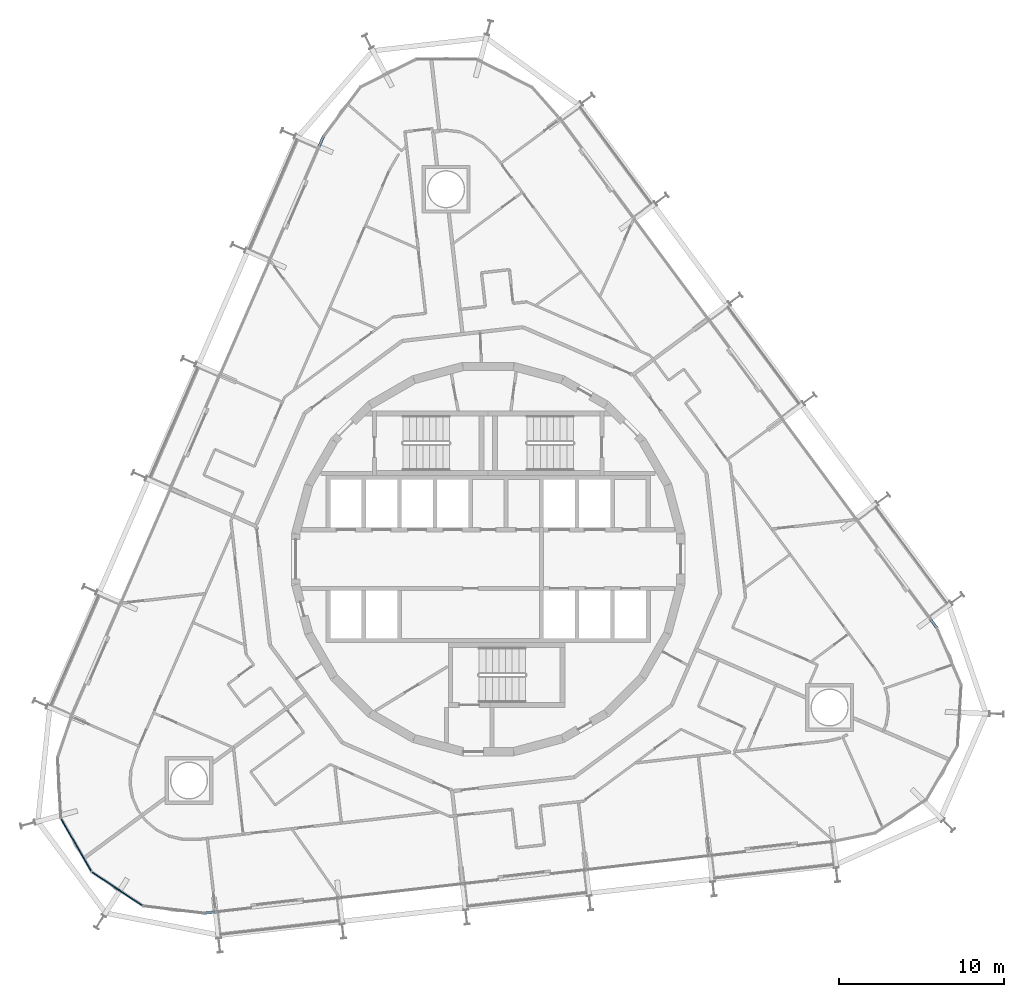
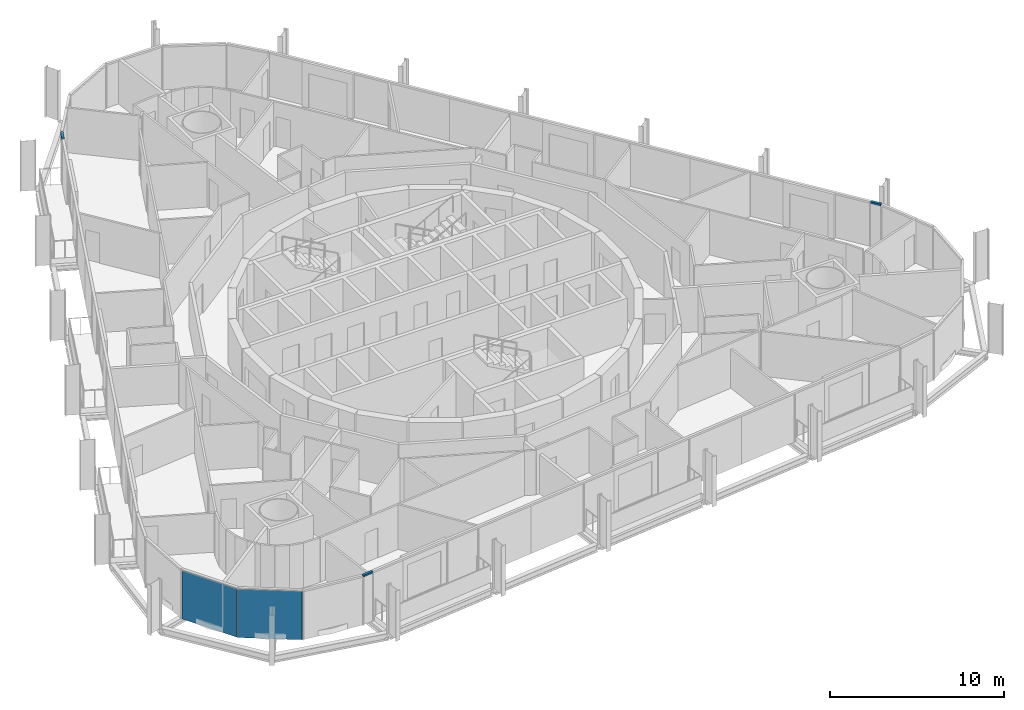
# One storey, part 12 of 24: 3 members, 2 plates, 3 elements without a shape of their own.
"""IFC4 building model written with IfcOpenShell, lengths in metres."""

from ifc_helpers import new_model, si_unit, direction, frame, origin, origin_2d, place, context, subcontext, project, spatial, rectangle, extrude, material, layer, layer_set, material_profile, profile_set, type_object, element, aggregate, save


model = new_model("IFC4")

# Units and contexts
model_context = context("Model", 3, precision=1e-05, world=origin(), true_north=direction((0.0, 1.0)))
body_context = subcontext(model_context, "Body", "Model", "MODEL_VIEW")
ifc_project = project(units=[si_unit("LENGTHUNIT", "METRE"), si_unit("AREAUNIT", "SQUARE_METRE"), si_unit("VOLUMEUNIT", "CUBIC_METRE"), si_unit("PLANEANGLEUNIT", "RADIAN"), si_unit("MASSUNIT", "GRAM", prefix="KILO")], contexts=[model_context])

# Site, building, storey
site_placement = place(None, origin())
site = spatial("IfcSite", under=ifc_project, at=site_placement, CompositionType="ELEMENT")
building_placement = place(site_placement, origin())
building = spatial("IfcBuilding", under=site, at=building_placement, Name="Spindle Arch Residences", CompositionType="ELEMENT")
storey_placement = place(building_placement, frame((0.0, 0.0, 101.199951171875)))
storey = spatial("IfcBuildingStorey", under=building, at=storey_placement, Name="L24", CompositionType="ELEMENT", Elevation=101.199951171875)

# Curtain wall, member
ifc_material_1 = material(Name="Aluminium bronze unitised frame with tinted glass", Category="aluminium")
ifc_layer_1 = layer(ifc_material_1, 0.159912109375)
ifc_layer_set_1 = layer_set([ifc_layer_1], Name="CW-D corner wall on the fillet arcs")
curtain_wall_type = type_object("IfcCurtainWallType", Name="CW-D corner wall on the fillet arcs", PredefinedType="NOTDEFINED", material=ifc_layer_set_1)
curtain_wall_1_placement = place(storey_placement, origin())
curtain_wall_1 = element("IfcCurtainWall", 1, at=curtain_wall_1_placement, inside=storey, type_object=curtain_wall_type, Name="CW-D L24 run 1", PredefinedType="NOTDEFINED")
ifc_material_2 = material(Name="Aluminium bronze anodised transom", Category="aluminium")
ifc_material_profile = material_profile(ifc_material_2, rectangle(XDim=0.159912109375, YDim=0.1201171875, at=origin_2d()), Name="TR 120x160")
ifc_profile_set = profile_set([ifc_material_profile], Name="Aluminium bronze anodised transom")
member_type = type_object("IfcMemberType", Name="Bronze transom 120x160", PredefinedType="USERDEFINED", material=ifc_profile_set)
member_1_placement = place(storey_placement, frame((27.125, -4.1474609375, 3.06005859375), z_axis=(-0.594872516249, 0.803820060344, 0.0), x_axis=(-0.803820060344, -0.594872516249, 0.0)))
member_1 = element("IfcMember", 2, at=member_1_placement, type_object=member_type, Name="CW-D transom 05", ObjectType="TRANSOM", PredefinedType="USERDEFINED", context=body_context, shape_type="SweptSolid", body=[
    extrude(rectangle(XDim=0.159912109375, YDim=0.1201171875, at=origin_2d()), origin(), (0.0, 0.0, 1.0), 0.641357421875),
])
aggregate(curtain_wall_1, [member_1])

curtain_wall_2_placement = place(storey_placement, origin())
curtain_wall_2 = element("IfcCurtainWall", 3, at=curtain_wall_2_placement, inside=storey, type_object=curtain_wall_type, Name="CW-D L24 run 3", PredefinedType="NOTDEFINED")
member_2_placement = place(storey_placement, frame((-9.970703125, 25.564697265625, 3.06005859375), z_axis=(-0.398461689222, -0.917184977102, 0.0), x_axis=(0.917184977102, -0.398461689222, 0.0)))
member_2 = element("IfcMember", 4, at=member_2_placement, type_object=member_type, Name="CW-D transom 05", ObjectType="TRANSOM", PredefinedType="USERDEFINED", context=body_context, shape_type="SweptSolid", body=[
    extrude(rectangle(XDim=0.159912109375, YDim=0.1201171875, at=origin_2d()), origin(), (0.0, 0.0, 1.0), 0.6416015625),
])
aggregate(curtain_wall_2, [member_2])

# Curtain wall, member, plates
curtain_wall_3_placement = place(storey_placement, origin())
curtain_wall_3 = element("IfcCurtainWall", 5, at=curtain_wall_3_placement, inside=storey, type_object=curtain_wall_type, Name="CW-D L24 run 5", PredefinedType="NOTDEFINED")
member_3_placement = place(storey_placement, frame((-17.154296875, -21.417236328125, 3.06005859375), z_axis=(0.993549832432, 0.113396342422, 0.0), x_axis=(-0.113396342422, 0.993549832432, 0.0)))
member_3 = element("IfcMember", 6, at=member_3_placement, type_object=member_type, Name="CW-D transom 05", ObjectType="TRANSOM", PredefinedType="USERDEFINED", context=body_context, shape_type="SweptSolid", body=[
    extrude(rectangle(XDim=0.159912109375, YDim=0.1201171875, at=origin_2d()), origin(), (0.0, 0.0, 1.0), 0.6416015625),
])
ifc_material_3 = material(Name="Tinted double glazing over aluminium faced non-combustible spandrel zone (K0)", Category="aluminium")
ifc_layer_2 = layer(ifc_material_3, 0.06005859375)
ifc_layer_set_2 = layer_set([ifc_layer_2], Name="Unitised glass panel with E 60 spandrel zone")
plate_type = type_object("IfcPlateType", Name="Unitised glass panel with E 60 spandrel zone", PredefinedType="CURTAIN_PANEL", material=ifc_layer_set_2)
plate_1_placement = place(storey_placement, frame((-24.919189453125, -17.3037109375, -0.3798828125), z_axis=(0.0, 0.0, 1.0), x_axis=(0.497478721595, -0.867476179247, 0.0)))
plate_1 = element("IfcPlate", 7, at=plate_1_placement, type_object=plate_type, Name="CW-D unit 02", PredefinedType="CURTAIN_PANEL", context=body_context, shape_type="SweptSolid", body=[
    extrude(rectangle(XDim=3.666748046875, YDim=0.06005859375, at=origin_2d()), origin(), (0.0, 0.0, 1.0), 3.3798828125),
])
plate_2_placement = place(storey_placement, frame((-22.438232421875, -19.94873046875, -0.3798828125), z_axis=(0.0, 0.0, 1.0), x_axis=(0.833885820352, -0.551936987903, 0.0)))
plate_2 = element("IfcPlate", 8, at=plate_2_placement, type_object=plate_type, Name="CW-D unit 03", PredefinedType="CURTAIN_PANEL", context=body_context, shape_type="SweptSolid", body=[
    extrude(rectangle(XDim=3.666748046875, YDim=0.06005859375, at=origin_2d()), origin(), (0.0, 0.0, 1.0), 3.3798828125),
])
aggregate(curtain_wall_3, [plate_1, plate_2, member_3])

save(model, "model.ifc")
